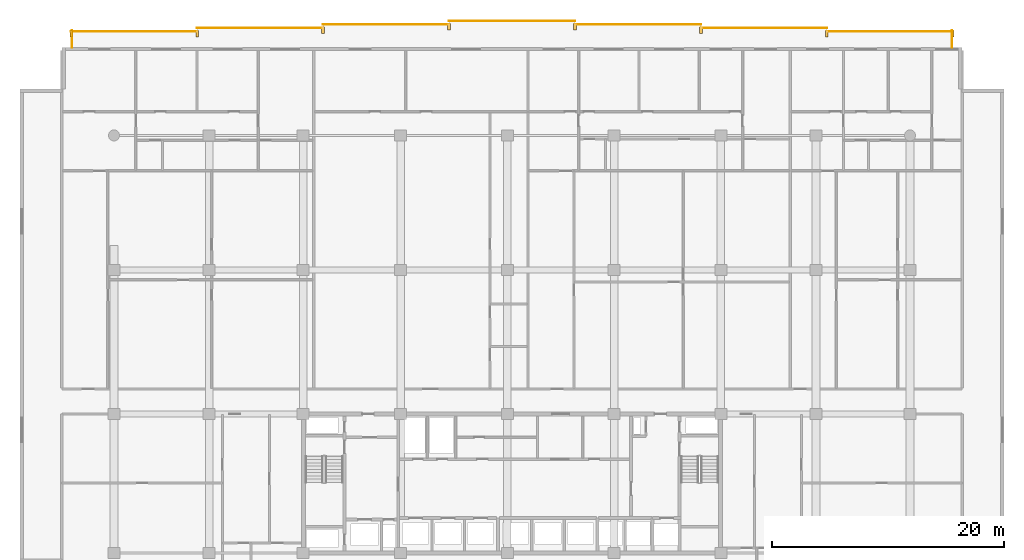
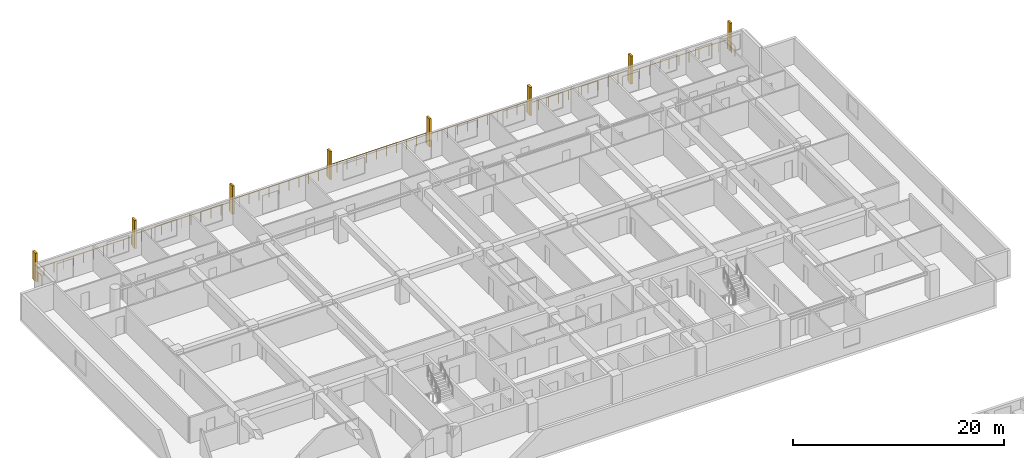
# One storey, part 23 of 23: 9 railings, 8 shading devices.
"""IFC4 building model written with IfcOpenShell, lengths in metres."""

from ifc_helpers import new_model, si_unit, direction, frame, origin, origin_2d, place, context, subcontext, project, spatial, rectangle, circle, extrude, material, type_object, element, save


model = new_model("IFC4")

# Units and contexts
model_context = context("Model", 3, precision=1e-05, world=origin(), true_north=direction((0.0, 1.0)))
body_context = subcontext(model_context, "Body", "Model", "MODEL_VIEW")
ifc_project = project(units=[si_unit("LENGTHUNIT", "METRE"), si_unit("AREAUNIT", "SQUARE_METRE"), si_unit("VOLUMEUNIT", "CUBIC_METRE"), si_unit("PLANEANGLEUNIT", "RADIAN"), si_unit("MASSUNIT", "GRAM", prefix="KILO")], contexts=[model_context])

# Site, building, storey
site_placement = place(None, origin())
site = spatial("IfcSite", under=ifc_project, at=site_placement, CompositionType="ELEMENT")
building_placement = place(site_placement, origin())
building = spatial("IfcBuilding", under=site, at=building_placement, Name="Korimba Cascade Residences", CompositionType="ELEMENT")
storey_placement = place(building_placement, frame((0.0, 0.0, 53.25)))
storey = spatial("IfcBuildingStorey", under=building, at=storey_placement, Name="L14", CompositionType="ELEMENT", Elevation=53.25)

# Railings
ifc_material_1 = material(Name="Laminated Glass and Bronze Balustrade", Category="glass")
railing_type = type_object("IfcRailingType", Name="RLG-LOG-1150", PredefinedType="BALUSTRADE", material=ifc_material_1)
railing_1_placement = place(storey_placement, frame((132.02001953125, 98.800048828125, 0.0)))
element("IfcRailing", 1, at=railing_1_placement, inside=storey, type_object=railing_type, Name="L14 Perimeter Guardrail RLG-L14-T1-LOG-01", PredefinedType="BALUSTRADE", context=body_context, shape_type="SweptSolid", body=[
    extrude(circle(Radius=0.02392578125, at=origin_2d()), frame((0.0, 0.0, 1.1259765625), z_axis=(0.0, 1.0, 0.0), x_axis=(-1.0, 0.0, 0.0)), (0.0, 0.0, 1.0), 1.449951171875),
    extrude(circle(Radius=0.02099609375, at=origin_2d()), origin(), (0.0, 0.0, 1.0), 1.101806640625),
    extrude(circle(Radius=0.02099609375, at=origin_2d()), frame((0.0, 0.72509765625, 0.0)), (0.0, 0.0, 1.0), 1.101806640625),
    extrude(circle(Radius=0.02099609375, at=origin_2d()), frame((0.0, 1.449951171875, 0.0)), (0.0, 0.0, 1.0), 1.101806640625),
])
for number, where, name in (
    (2, (132.10009765625, 100.169921875, 0.0), "L14 Perimeter Guardrail RLG-L14-T1-LOG-02"),
    (3, (121.242919921875, 100.469970703125, 0.0), "L14 Perimeter Guardrail RLG-L14-T1-LOG-03"),
    (4, (110.3857421875, 100.77001953125, 0.0), "L14 Perimeter Guardrail RLG-L14-T1-LOG-04"),
    (5, (99.528564453125, 101.070068359375, 0.0), "L14 Perimeter Guardrail RLG-L14-T1-LOG-05"),
    (6, (88.67138671875, 100.77001953125, 0.0), "L14 Perimeter Guardrail RLG-L14-T1-LOG-06"),
    (7, (77.814208984375, 100.469970703125, 0.0), "L14 Perimeter Guardrail RLG-L14-T1-LOG-07"),
):
    element("IfcRailing", number, at=place(storey_placement, frame(where)), inside=storey, type_object=railing_type, Name=name, PredefinedType="BALUSTRADE", context=body_context, shape_type="SweptSolid", body=[
        extrude(circle(Radius=0.02392578125, at=origin_2d()), frame((0.0, 0.0, 1.1259765625), z_axis=(-1.0, 0.0, 0.0), x_axis=(0.0, -1.0, 0.0)), (0.0, 0.0, 1.0), 10.857177734375),
        extrude(circle(Radius=0.02099609375, at=origin_2d()), origin(), (0.0, 0.0, 1.0), 1.101806640625),
        extrude(circle(Radius=0.02099609375, at=origin_2d()), frame((-1.085693359375, 0.0, 0.0)), (0.0, 0.0, 1.0), 1.101806640625),
        extrude(circle(Radius=0.02099609375, at=origin_2d()), frame((-2.17138671875, 0.0, 0.0)), (0.0, 0.0, 1.0), 1.101806640625),
        extrude(circle(Radius=0.02099609375, at=origin_2d()), frame((-3.257080078125, 0.0, 0.0)), (0.0, 0.0, 1.0), 1.101806640625),
        extrude(circle(Radius=0.02099609375, at=origin_2d()), frame((-4.3427734375, 0.0, 0.0)), (0.0, 0.0, 1.0), 1.101806640625),
        extrude(circle(Radius=0.02099609375, at=origin_2d()), frame((-5.4287109375, 0.0, 0.0)), (0.0, 0.0, 1.0), 1.101806640625),
        extrude(circle(Radius=0.02099609375, at=origin_2d()), frame((-6.514404296875, 0.0, 0.0)), (0.0, 0.0, 1.0), 1.101806640625),
        extrude(circle(Radius=0.02099609375, at=origin_2d()), frame((-7.60009765625, 0.0, 0.0)), (0.0, 0.0, 1.0), 1.101806640625),
        extrude(circle(Radius=0.02099609375, at=origin_2d()), frame((-8.685791015625, 0.0, 0.0)), (0.0, 0.0, 1.0), 1.101806640625),
        extrude(circle(Radius=0.02099609375, at=origin_2d()), frame((-9.771484375, 0.0, 0.0)), (0.0, 0.0, 1.0), 1.101806640625),
        extrude(circle(Radius=0.02099609375, at=origin_2d()), frame((-10.857177734375, 0.0, 0.0)), (0.0, 0.0, 1.0), 1.101806640625),
    ])
railing_2_placement = place(storey_placement, frame((66.95703125, 100.169921875, 0.0)))
element("IfcRailing", 8, at=railing_2_placement, inside=storey, type_object=railing_type, Name="L14 Perimeter Guardrail RLG-L14-T1-LOG-08", PredefinedType="BALUSTRADE", context=body_context, shape_type="SweptSolid", body=[
    extrude(circle(Radius=0.02392578125, at=origin_2d()), frame((0.0, 0.0, 1.1259765625), z_axis=(-1.0, 0.0, 0.0), x_axis=(0.0, -1.0, 0.0)), (0.0, 0.0, 1.0), 10.85693359375),
    extrude(circle(Radius=0.02099609375, at=origin_2d()), origin(), (0.0, 0.0, 1.0), 1.101806640625),
    extrude(circle(Radius=0.02099609375, at=origin_2d()), frame((-1.085693359375, 0.0, 0.0)), (0.0, 0.0, 1.0), 1.101806640625),
    extrude(circle(Radius=0.02099609375, at=origin_2d()), frame((-2.17138671875, 0.0, 0.0)), (0.0, 0.0, 1.0), 1.101806640625),
    extrude(circle(Radius=0.02099609375, at=origin_2d()), frame((-3.257080078125, 0.0, 0.0)), (0.0, 0.0, 1.0), 1.101806640625),
    extrude(circle(Radius=0.02099609375, at=origin_2d()), frame((-4.3427734375, 0.0, 0.0)), (0.0, 0.0, 1.0), 1.101806640625),
    extrude(circle(Radius=0.02099609375, at=origin_2d()), frame((-5.428466796875, 0.0, 0.0)), (0.0, 0.0, 1.0), 1.101806640625),
    extrude(circle(Radius=0.02099609375, at=origin_2d()), frame((-6.51416015625, 0.0, 0.0)), (0.0, 0.0, 1.0), 1.101806640625),
    extrude(circle(Radius=0.02099609375, at=origin_2d()), frame((-7.599853515625, 0.0, 0.0)), (0.0, 0.0, 1.0), 1.101806640625),
    extrude(circle(Radius=0.02099609375, at=origin_2d()), frame((-8.685546875, 0.0, 0.0)), (0.0, 0.0, 1.0), 1.101806640625),
    extrude(circle(Radius=0.02099609375, at=origin_2d()), frame((-9.771240234375, 0.0, 0.0)), (0.0, 0.0, 1.0), 1.101806640625),
    extrude(circle(Radius=0.02099609375, at=origin_2d()), frame((-10.85693359375, 0.0, 0.0)), (0.0, 0.0, 1.0), 1.101806640625),
])
railing_3_placement = place(storey_placement, frame((56.179931640625, 100.25, 0.0)))
element("IfcRailing", 9, at=railing_3_placement, inside=storey, type_object=railing_type, Name="L14 Perimeter Guardrail RLG-L14-T1-LOG-09", PredefinedType="BALUSTRADE", context=body_context, shape_type="SweptSolid", body=[
    extrude(circle(Radius=0.02392578125, at=origin_2d()), frame((0.0, 0.0, 1.1259765625), z_axis=(0.0, -1.0, 0.0), x_axis=(1.0, 0.0, 0.0)), (0.0, 0.0, 1.0), 1.449951171875),
    extrude(circle(Radius=0.02099609375, at=origin_2d()), origin(), (0.0, 0.0, 1.0), 1.101806640625),
    extrude(circle(Radius=0.02099609375, at=origin_2d()), frame((0.0, -0.72509765625, 0.0)), (0.0, 0.0, 1.0), 1.101806640625),
    extrude(circle(Radius=0.02099609375, at=origin_2d()), frame((0.0, -1.449951171875, 0.0)), (0.0, 0.0, 1.0), 1.101806640625),
])

# Shading devices
ifc_material_2 = material(Name="Honed Sandstone Precast Fin", Category="masonry")
shading_device_type = type_object("IfcShadingDeviceType", Name="SHD-FIN-550", PredefinedType="USERDEFINED", material=ifc_material_2)
for number, where, z_axis, x_axis, name in (
    (10, (56.10009765625, 99.97509765625, 0.0), (0.0, 0.0, 1.0), (1.0, 0.0, 0.0), "L14 T1 Warm-Stone Loggia Fin 1"),
    (11, (66.95703125, 99.97509765625, 0.0), (0.0, 0.0, 1.0), (1.0, 0.0, 0.0), "L14 T1 Warm-Stone Loggia Fin 2"),
    (12, (77.814208984375, 100.27490234375, 0.0), (0.0, 0.0, 1.0), (1.0, 0.0, 0.0), "L14 T1 Warm-Stone Loggia Fin 3"),
    (13, (88.67138671875, 100.574951171875, 0.0), (0.0, 0.0, 1.0), (1.0, 0.0, 0.0), "L14 T1 Warm-Stone Loggia Fin 4"),
    (14, (99.528564453125, 100.574951171875, 0.0), (0.0, 0.0, 1.0), (1.0, 0.0, 0.0), "L14 T1 Warm-Stone Loggia Fin 5"),
    (15, (110.3857421875, 100.27490234375, 0.0), (0.0, 0.0, 1.0), (1.0, 0.0, 0.0), "L14 T1 Warm-Stone Loggia Fin 6"),
    (16, (121.242919921875, 99.97509765625, 0.0), (0.0, 0.0, 1.0), (1.0, 0.0, 0.0), "L14 T1 Warm-Stone Loggia Fin 7"),
    (17, (132.10009765625, 99.97509765625, 0.0), (0.0, 0.0, 1.0), (1.0, 0.0, 0.0), "L14 T1 Warm-Stone Loggia Fin 8"),
):
    element("IfcShadingDevice", number, at=place(storey_placement, frame(where, z_axis=z_axis, x_axis=x_axis)), inside=storey, type_object=shading_device_type, Name=name, ObjectType="FIN", PredefinedType="USERDEFINED", context=body_context, shape_type="SweptSolid", body=[
        extrude(rectangle(XDim=0.219970703125, YDim=0.550048828125, at=origin_2d()), origin(), (0.0, 0.0, 1.0), 3.25),
    ])

save(model, "model.ifc")
